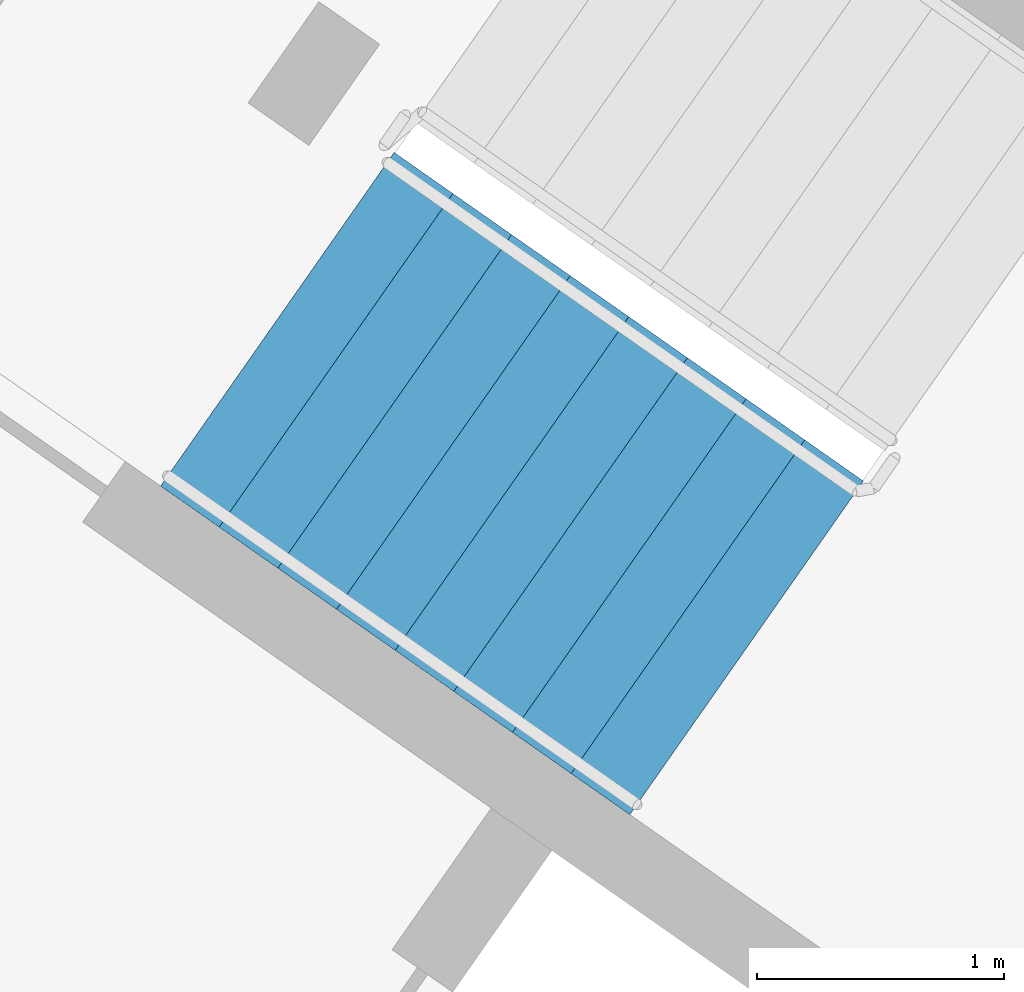
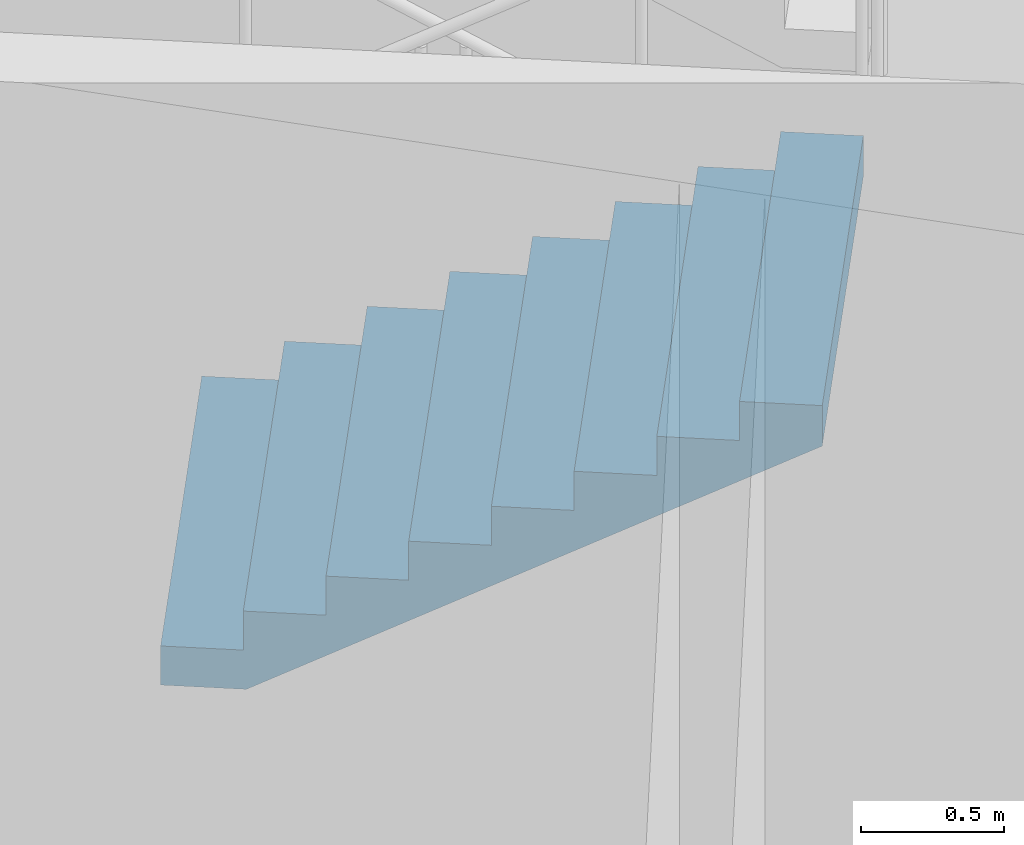
# One storey, part 11 of 41: 1 stair flight, 1 element without a shape of its own.
"""IFC4 building model written with IfcOpenShell, lengths in metres."""

from ifc_helpers import new_model, si_unit, direction, frame, origin, place, context, subcontext, project, spatial, faceted_brep, material, type_object, element, aggregate, save


model = new_model("IFC4")

# Units and contexts
model_context = context("Model", 3, precision=1e-05, world=origin(), true_north=direction((0.0, 1.0)))
body_context = subcontext(model_context, "Body", "Model", "MODEL_VIEW")
ifc_project = project(units=[si_unit("LENGTHUNIT", "METRE"), si_unit("AREAUNIT", "SQUARE_METRE"), si_unit("VOLUMEUNIT", "CUBIC_METRE"), si_unit("PLANEANGLEUNIT", "RADIAN"), si_unit("MASSUNIT", "GRAM", prefix="KILO")], contexts=[model_context])

# Site, building, storey
site_placement = place(None, origin())
site = spatial("IfcSite", under=ifc_project, at=site_placement, CompositionType="ELEMENT")
building_placement = place(site_placement, origin())
building = spatial("IfcBuilding", under=site, at=building_placement, Name="Qamariyya Broadcast Tower", CompositionType="ELEMENT")
storey_placement = place(building_placement, frame((0.0, 0.0, 284.699951171875)))
storey = spatial("IfcBuildingStorey", under=building, at=storey_placement, Name="L69", CompositionType="ELEMENT", Elevation=284.699951171875)

# Stair, stair flight
ifc_material = material(Name="Concrete C50/60", Category="concrete")
stair_type = type_object("IfcStairType", Name="Exit stair 36 risers of 167 mm", PredefinedType="HALF_TURN_STAIR", material=ifc_material)
stair_placement = place(storey_placement, origin())
stair = element("IfcStair", 1, at=stair_placement, inside=storey, type_object=stair_type, Name="L69 Stair W2", PredefinedType="HALF_TURN_STAIR")
stair_flight_type = type_object("IfcStairFlightType", Name="Exit stair flight 9 risers of 167 mm", PredefinedType="STRAIGHT", material=ifc_material)
stair_flight_placement = place(storey_placement, frame((-41.59130859375, -49.15966796875, 3.0), z_axis=(0.0, 0.0, 1.0), x_axis=(0.819152044289, -0.573576436351, 0.0)))
stair_flight = element("IfcStairFlight", 2, at=stair_flight_placement, type_object=stair_flight_type, Name="ST-W2 flight 3", NumberOfRisers=9, NumberOfTreads=8, PredefinedType="STRAIGHT", RiserHeight=0.166666667, TreadLength=0.29, context=body_context, shape_type="Brep", body=[
    faceted_brep([(0.0, 0.824951171875, 0.0), (0.0, 0.824951171875, 0.166748046875), (0.2900390625, 0.824951171875, 0.166748046875), (0.2900390625, 0.824951171875, 0.333251953125), (0.580078125, 0.824951171875, 0.333251953125), (0.580078125, 0.824951171875, 0.5), (0.8701171875, 0.824951171875, 0.5), (0.8701171875, 0.824951171875, 0.666748046875), (1.159912109375, 0.824951171875, 0.666748046875), (1.159912109375, 0.824951171875, 0.833251953125), (1.449951171875, 0.824951171875, 0.833251953125), (1.449951171875, 0.824951171875, 1.0), (1.739990234375, 0.824951171875, 1.0), (1.739990234375, 0.824951171875, 1.166748046875), (2.030029296875, 0.824951171875, 1.166748046875), (2.030029296875, 0.824951171875, 1.333251953125), (2.320068359375, 0.824951171875, 1.333251953125), (2.320068359375, 0.824951171875, 1.160400390625), (0.30078125, 0.824951171875, 0.0), (0.30078125, -0.824951171875, 0.0), (2.320068359375, -0.824951171875, 1.160400390625), (2.320068359375, -0.824951171875, 1.333251953125), (2.030029296875, -0.824951171875, 1.333251953125), (2.030029296875, -0.824951171875, 1.166748046875), (1.739990234375, -0.824951171875, 1.166748046875), (1.739990234375, -0.824951171875, 1.0), (1.449951171875, -0.824951171875, 1.0), (1.449951171875, -0.824951171875, 0.833251953125), (1.159912109375, -0.824951171875, 0.833251953125), (1.159912109375, -0.824951171875, 0.666748046875), (0.8701171875, -0.824951171875, 0.666748046875), (0.8701171875, -0.824951171875, 0.5), (0.580078125, -0.824951171875, 0.5), (0.580078125, -0.824951171875, 0.333251953125), (0.2900390625, -0.824951171875, 0.333251953125), (0.2900390625, -0.824951171875, 0.166748046875), (0.0, -0.824951171875, 0.166748046875), (0.0, -0.824951171875, 0.0), (0.0, 0.10009765625, 0.0), (0.0, 0.086669921875, 0.0), (0.0, 0.0732421875, 0.0), (0.0, 0.06005859375, 0.0), (0.0, 0.046630859375, 0.0), (0.0, 0.033447265625, 0.0), (0.0, 0.02001953125, 0.0), (0.0, 0.006591796875, 0.0), (0.0, -0.006591796875, 0.0), (0.0, -0.02001953125, 0.0), (0.0, -0.033447265625, 0.0), (0.0, -0.046630859375, 0.0), (0.0, -0.06005859375, 0.0), (0.0, -0.0732421875, 0.0), (0.0, -0.086669921875, 0.0), (0.0, -0.10009765625, 0.0), (0.0, -0.10009765625, 0.166748046875), (0.0, -0.086669921875, 0.166748046875), (0.0, -0.0732421875, 0.166748046875), (0.0, -0.06005859375, 0.166748046875), (0.0, -0.046630859375, 0.166748046875), (0.0, -0.033447265625, 0.166748046875), (0.0, -0.02001953125, 0.166748046875), (0.0, -0.006591796875, 0.166748046875), (0.0, 0.006591796875, 0.166748046875), (0.0, 0.02001953125, 0.166748046875), (0.0, 0.033447265625, 0.166748046875), (0.0, 0.046630859375, 0.166748046875), (0.0, 0.06005859375, 0.166748046875), (0.0, 0.0732421875, 0.166748046875), (0.0, 0.086669921875, 0.166748046875), (0.0, 0.10009765625, 0.166748046875), (0.2900390625, -0.10009765625, 0.166748046875), (0.2900390625, -0.086669921875, 0.166748046875), (0.2900390625, -0.0732421875, 0.166748046875), (0.2900390625, -0.06005859375, 0.166748046875), (0.2900390625, -0.046630859375, 0.166748046875), (0.2900390625, -0.033447265625, 0.166748046875), (0.2900390625, -0.02001953125, 0.166748046875), (0.2900390625, -0.006591796875, 0.166748046875), (0.2900390625, 0.006591796875, 0.166748046875), (0.2900390625, 0.02001953125, 0.166748046875), (0.2900390625, 0.033447265625, 0.166748046875), (0.2900390625, 0.046630859375, 0.166748046875), (0.2900390625, 0.06005859375, 0.166748046875), (0.2900390625, 0.0732421875, 0.166748046875), (0.2900390625, 0.086669921875, 0.166748046875), (0.2900390625, 0.10009765625, 0.166748046875), (0.2900390625, -0.10009765625, 0.333251953125), (0.2900390625, -0.086669921875, 0.333251953125), (0.2900390625, -0.0732421875, 0.333251953125), (0.2900390625, -0.06005859375, 0.333251953125), (0.2900390625, -0.046630859375, 0.333251953125), (0.2900390625, -0.033447265625, 0.333251953125), (0.2900390625, -0.02001953125, 0.333251953125), (0.2900390625, -0.006591796875, 0.333251953125), (0.2900390625, 0.006591796875, 0.333251953125), (0.2900390625, 0.02001953125, 0.333251953125), (0.2900390625, 0.033447265625, 0.333251953125), (0.2900390625, 0.046630859375, 0.333251953125), (0.2900390625, 0.06005859375, 0.333251953125), (0.2900390625, 0.0732421875, 0.333251953125), (0.2900390625, 0.086669921875, 0.333251953125), (0.2900390625, 0.10009765625, 0.333251953125), (0.580078125, -0.10009765625, 0.333251953125), (0.580078125, -0.086669921875, 0.333251953125), (0.580078125, -0.0732421875, 0.333251953125), (0.580078125, -0.06005859375, 0.333251953125), (0.580078125, -0.046630859375, 0.333251953125), (0.580078125, -0.033447265625, 0.333251953125), (0.580078125, -0.02001953125, 0.333251953125), (0.580078125, -0.006591796875, 0.333251953125), (0.580078125, 0.006591796875, 0.333251953125), (0.580078125, 0.02001953125, 0.333251953125), (0.580078125, 0.033447265625, 0.333251953125), (0.580078125, 0.046630859375, 0.333251953125), (0.580078125, 0.06005859375, 0.333251953125), (0.580078125, 0.0732421875, 0.333251953125), (0.580078125, 0.086669921875, 0.333251953125), (0.580078125, 0.10009765625, 0.333251953125), (0.580078125, -0.10009765625, 0.5), (0.580078125, -0.086669921875, 0.5), (0.580078125, -0.0732421875, 0.5), (0.580078125, -0.06005859375, 0.5), (0.580078125, -0.046630859375, 0.5), (0.580078125, -0.033447265625, 0.5), (0.580078125, -0.02001953125, 0.5), (0.580078125, -0.006591796875, 0.5), (0.580078125, 0.006591796875, 0.5), (0.580078125, 0.02001953125, 0.5), (0.580078125, 0.033447265625, 0.5), (0.580078125, 0.046630859375, 0.5), (0.580078125, 0.06005859375, 0.5), (0.580078125, 0.0732421875, 0.5), (0.580078125, 0.086669921875, 0.5), (0.580078125, 0.10009765625, 0.5), (0.8701171875, -0.10009765625, 0.5), (0.8701171875, -0.086669921875, 0.5), (0.8701171875, -0.0732421875, 0.5), (0.8701171875, -0.06005859375, 0.5), (0.8701171875, -0.046630859375, 0.5), (0.8701171875, -0.033447265625, 0.5), (0.8701171875, -0.02001953125, 0.5), (0.8701171875, -0.006591796875, 0.5), (0.8701171875, 0.006591796875, 0.5), (0.8701171875, 0.02001953125, 0.5), (0.8701171875, 0.033447265625, 0.5), (0.8701171875, 0.046630859375, 0.5), (0.8701171875, 0.06005859375, 0.5), (0.8701171875, 0.0732421875, 0.5), (0.8701171875, 0.086669921875, 0.5), (0.8701171875, 0.10009765625, 0.5), (0.8701171875, -0.10009765625, 0.666748046875), (0.8701171875, -0.086669921875, 0.666748046875), (0.8701171875, -0.0732421875, 0.666748046875), (0.8701171875, -0.06005859375, 0.666748046875), (0.8701171875, -0.046630859375, 0.666748046875), (0.8701171875, -0.033447265625, 0.666748046875), (0.8701171875, -0.02001953125, 0.666748046875), (0.8701171875, -0.006591796875, 0.666748046875), (0.8701171875, 0.006591796875, 0.666748046875), (0.8701171875, 0.02001953125, 0.666748046875), (0.8701171875, 0.033447265625, 0.666748046875), (0.8701171875, 0.046630859375, 0.666748046875), (0.8701171875, 0.06005859375, 0.666748046875), (0.8701171875, 0.0732421875, 0.666748046875), (0.8701171875, 0.086669921875, 0.666748046875), (0.8701171875, 0.10009765625, 0.666748046875), (1.159912109375, -0.10009765625, 0.666748046875), (1.159912109375, -0.086669921875, 0.666748046875), (1.159912109375, -0.0732421875, 0.666748046875), (1.159912109375, -0.06005859375, 0.666748046875), (1.159912109375, -0.046630859375, 0.666748046875), (1.159912109375, -0.033447265625, 0.666748046875), (1.159912109375, -0.02001953125, 0.666748046875), (1.159912109375, -0.006591796875, 0.666748046875), (1.159912109375, 0.006591796875, 0.666748046875), (1.159912109375, 0.02001953125, 0.666748046875), (1.159912109375, 0.033447265625, 0.666748046875), (1.159912109375, 0.046630859375, 0.666748046875), (1.159912109375, 0.06005859375, 0.666748046875), (1.159912109375, 0.0732421875, 0.666748046875), (1.159912109375, 0.086669921875, 0.666748046875), (1.159912109375, 0.10009765625, 0.666748046875), (1.159912109375, -0.10009765625, 0.833251953125), (1.159912109375, -0.086669921875, 0.833251953125), (1.159912109375, -0.0732421875, 0.833251953125), (1.159912109375, -0.06005859375, 0.833251953125), (1.159912109375, -0.046630859375, 0.833251953125), (1.159912109375, -0.033447265625, 0.833251953125), (1.159912109375, -0.02001953125, 0.833251953125), (1.159912109375, -0.006591796875, 0.833251953125), (1.159912109375, 0.006591796875, 0.833251953125), (1.159912109375, 0.02001953125, 0.833251953125), (1.159912109375, 0.033447265625, 0.833251953125), (1.159912109375, 0.046630859375, 0.833251953125), (1.159912109375, 0.06005859375, 0.833251953125), (1.159912109375, 0.0732421875, 0.833251953125), (1.159912109375, 0.086669921875, 0.833251953125), (1.159912109375, 0.10009765625, 0.833251953125), (1.449951171875, -0.10009765625, 0.833251953125), (1.449951171875, -0.086669921875, 0.833251953125), (1.449951171875, -0.0732421875, 0.833251953125), (1.449951171875, -0.06005859375, 0.833251953125), (1.449951171875, -0.046630859375, 0.833251953125), (1.449951171875, -0.033447265625, 0.833251953125), (1.449951171875, -0.02001953125, 0.833251953125), (1.449951171875, -0.006591796875, 0.833251953125), (1.449951171875, 0.006591796875, 0.833251953125), (1.449951171875, 0.02001953125, 0.833251953125), (1.449951171875, 0.033447265625, 0.833251953125), (1.449951171875, 0.046630859375, 0.833251953125), (1.449951171875, 0.06005859375, 0.833251953125), (1.449951171875, 0.0732421875, 0.833251953125), (1.449951171875, 0.086669921875, 0.833251953125), (1.449951171875, 0.10009765625, 0.833251953125), (1.449951171875, -0.10009765625, 1.0), (1.449951171875, -0.086669921875, 1.0), (1.449951171875, -0.0732421875, 1.0), (1.449951171875, -0.06005859375, 1.0), (1.449951171875, -0.046630859375, 1.0), (1.449951171875, -0.033447265625, 1.0), (1.449951171875, -0.02001953125, 1.0), (1.449951171875, -0.006591796875, 1.0), (1.449951171875, 0.006591796875, 1.0), (1.449951171875, 0.02001953125, 1.0), (1.449951171875, 0.033447265625, 1.0), (1.449951171875, 0.046630859375, 1.0), (1.449951171875, 0.06005859375, 1.0), (1.449951171875, 0.0732421875, 1.0), (1.449951171875, 0.086669921875, 1.0), (1.449951171875, 0.10009765625, 1.0), (1.739990234375, -0.10009765625, 1.0), (1.739990234375, -0.086669921875, 1.0), (1.739990234375, -0.0732421875, 1.0), (1.739990234375, -0.06005859375, 1.0), (1.739990234375, -0.046630859375, 1.0), (1.739990234375, -0.033447265625, 1.0), (1.739990234375, -0.02001953125, 1.0), (1.739990234375, -0.006591796875, 1.0), (1.739990234375, 0.006591796875, 1.0), (1.739990234375, 0.02001953125, 1.0), (1.739990234375, 0.033447265625, 1.0), (1.739990234375, 0.046630859375, 1.0), (1.739990234375, 0.06005859375, 1.0), (1.739990234375, 0.0732421875, 1.0), (1.739990234375, 0.086669921875, 1.0), (1.739990234375, 0.10009765625, 1.0), (1.739990234375, -0.10009765625, 1.166748046875), (1.739990234375, -0.086669921875, 1.166748046875), (1.739990234375, -0.0732421875, 1.166748046875), (1.739990234375, -0.06005859375, 1.166748046875), (1.739990234375, -0.046630859375, 1.166748046875), (1.739990234375, -0.033447265625, 1.166748046875), (1.739990234375, -0.02001953125, 1.166748046875), (1.739990234375, -0.006591796875, 1.166748046875), (1.739990234375, 0.006591796875, 1.166748046875), (1.739990234375, 0.02001953125, 1.166748046875), (1.739990234375, 0.033447265625, 1.166748046875), (1.739990234375, 0.046630859375, 1.166748046875), (1.739990234375, 0.06005859375, 1.166748046875), (1.739990234375, 0.0732421875, 1.166748046875), (1.739990234375, 0.086669921875, 1.166748046875), (1.739990234375, 0.10009765625, 1.166748046875), (2.030029296875, -0.10009765625, 1.166748046875), (2.030029296875, -0.086669921875, 1.166748046875), (2.030029296875, -0.0732421875, 1.166748046875), (2.030029296875, -0.06005859375, 1.166748046875), (2.030029296875, -0.046630859375, 1.166748046875), (2.030029296875, -0.033447265625, 1.166748046875), (2.030029296875, -0.02001953125, 1.166748046875), (2.030029296875, -0.006591796875, 1.166748046875), (2.030029296875, 0.006591796875, 1.166748046875), (2.030029296875, 0.02001953125, 1.166748046875), (2.030029296875, 0.033447265625, 1.166748046875), (2.030029296875, 0.046630859375, 1.166748046875), (2.030029296875, 0.06005859375, 1.166748046875), (2.030029296875, 0.0732421875, 1.166748046875), (2.030029296875, 0.086669921875, 1.166748046875), (2.030029296875, 0.10009765625, 1.166748046875), (2.030029296875, -0.10009765625, 1.333251953125), (2.030029296875, -0.086669921875, 1.333251953125), (2.030029296875, -0.0732421875, 1.333251953125), (2.030029296875, -0.06005859375, 1.333251953125), (2.030029296875, -0.046630859375, 1.333251953125), (2.030029296875, -0.033447265625, 1.333251953125), (2.030029296875, -0.02001953125, 1.333251953125), (2.030029296875, -0.006591796875, 1.333251953125), (2.030029296875, 0.006591796875, 1.333251953125), (2.030029296875, 0.02001953125, 1.333251953125), (2.030029296875, 0.033447265625, 1.333251953125), (2.030029296875, 0.046630859375, 1.333251953125), (2.030029296875, 0.06005859375, 1.333251953125), (2.030029296875, 0.0732421875, 1.333251953125), (2.030029296875, 0.086669921875, 1.333251953125), (2.030029296875, 0.10009765625, 1.333251953125), (2.320068359375, -0.10009765625, 1.333251953125), (2.320068359375, -0.086669921875, 1.333251953125), (2.320068359375, -0.0732421875, 1.333251953125), (2.320068359375, -0.06005859375, 1.333251953125), (2.320068359375, -0.046630859375, 1.333251953125), (2.320068359375, -0.033447265625, 1.333251953125), (2.320068359375, -0.02001953125, 1.333251953125), (2.320068359375, -0.006591796875, 1.333251953125), (2.320068359375, 0.006591796875, 1.333251953125), (2.320068359375, 0.02001953125, 1.333251953125), (2.320068359375, 0.033447265625, 1.333251953125), (2.320068359375, 0.046630859375, 1.333251953125), (2.320068359375, 0.06005859375, 1.333251953125), (2.320068359375, 0.0732421875, 1.333251953125), (2.320068359375, 0.086669921875, 1.333251953125), (2.320068359375, 0.10009765625, 1.333251953125), (2.320068359375, -0.10009765625, 1.160400390625), (2.320068359375, -0.086669921875, 1.160400390625), (2.320068359375, -0.0732421875, 1.160400390625), (2.320068359375, -0.06005859375, 1.160400390625), (2.320068359375, -0.046630859375, 1.160400390625), (2.320068359375, -0.033447265625, 1.160400390625), (2.320068359375, -0.02001953125, 1.160400390625), (2.320068359375, -0.006591796875, 1.160400390625), (2.320068359375, 0.006591796875, 1.160400390625), (2.320068359375, 0.02001953125, 1.160400390625), (2.320068359375, 0.033447265625, 1.160400390625), (2.320068359375, 0.046630859375, 1.160400390625), (2.320068359375, 0.06005859375, 1.160400390625), (2.320068359375, 0.0732421875, 1.160400390625), (2.320068359375, 0.086669921875, 1.160400390625), (2.320068359375, 0.10009765625, 1.160400390625), (0.30078125, -0.10009765625, 0.0), (0.30078125, -0.086669921875, 0.0), (0.30078125, -0.0732421875, 0.0), (0.30078125, -0.06005859375, 0.0), (0.30078125, -0.046630859375, 0.0), (0.30078125, -0.033447265625, 0.0), (0.30078125, -0.02001953125, 0.0), (0.30078125, -0.006591796875, 0.0), (0.30078125, 0.006591796875, 0.0), (0.30078125, 0.02001953125, 0.0), (0.30078125, 0.033447265625, 0.0), (0.30078125, 0.046630859375, 0.0), (0.30078125, 0.06005859375, 0.0), (0.30078125, 0.0732421875, 0.0), (0.30078125, 0.086669921875, 0.0), (0.30078125, 0.10009765625, 0.0)], [[[0, 1, 2, 3, 4, 5, 6, 7, 8, 9, 10, 11, 12, 13, 14, 15, 16, 17, 18]], [[19, 20, 21, 22, 23, 24, 25, 26, 27, 28, 29, 30, 31, 32, 33, 34, 35, 36, 37]], [[0, 38, 39, 40, 41, 42, 43, 44, 45, 46, 47, 48, 49, 50, 51, 52, 53, 37, 36, 54, 55, 56, 57, 58, 59, 60, 61, 62, 63, 64, 65, 66, 67, 68, 69, 1]], [[1, 69, 68, 67, 66, 65, 64, 63, 62, 61, 60, 59, 58, 57, 56, 55, 54, 36, 35, 70, 71, 72, 73, 74, 75, 76, 77, 78, 79, 80, 81, 82, 83, 84, 85, 2]], [[2, 85, 84, 83, 82, 81, 80, 79, 78, 77, 76, 75, 74, 73, 72, 71, 70, 35, 34, 86, 87, 88, 89, 90, 91, 92, 93, 94, 95, 96, 97, 98, 99, 100, 101, 3]], [[3, 101, 100, 99, 98, 97, 96, 95, 94, 93, 92, 91, 90, 89, 88, 87, 86, 34, 33, 102, 103, 104, 105, 106, 107, 108, 109, 110, 111, 112, 113, 114, 115, 116, 117, 4]], [[4, 117, 116, 115, 114, 113, 112, 111, 110, 109, 108, 107, 106, 105, 104, 103, 102, 33, 32, 118, 119, 120, 121, 122, 123, 124, 125, 126, 127, 128, 129, 130, 131, 132, 133, 5]], [[5, 133, 132, 131, 130, 129, 128, 127, 126, 125, 124, 123, 122, 121, 120, 119, 118, 32, 31, 134, 135, 136, 137, 138, 139, 140, 141, 142, 143, 144, 145, 146, 147, 148, 149, 6]], [[6, 149, 148, 147, 146, 145, 144, 143, 142, 141, 140, 139, 138, 137, 136, 135, 134, 31, 30, 150, 151, 152, 153, 154, 155, 156, 157, 158, 159, 160, 161, 162, 163, 164, 165, 7]], [[7, 165, 164, 163, 162, 161, 160, 159, 158, 157, 156, 155, 154, 153, 152, 151, 150, 30, 29, 166, 167, 168, 169, 170, 171, 172, 173, 174, 175, 176, 177, 178, 179, 180, 181, 8]], [[8, 181, 180, 179, 178, 177, 176, 175, 174, 173, 172, 171, 170, 169, 168, 167, 166, 29, 28, 182, 183, 184, 185, 186, 187, 188, 189, 190, 191, 192, 193, 194, 195, 196, 197, 9]], [[9, 197, 196, 195, 194, 193, 192, 191, 190, 189, 188, 187, 186, 185, 184, 183, 182, 28, 27, 198, 199, 200, 201, 202, 203, 204, 205, 206, 207, 208, 209, 210, 211, 212, 213, 10]], [[10, 213, 212, 211, 210, 209, 208, 207, 206, 205, 204, 203, 202, 201, 200, 199, 198, 27, 26, 214, 215, 216, 217, 218, 219, 220, 221, 222, 223, 224, 225, 226, 227, 228, 229, 11]], [[11, 229, 228, 227, 226, 225, 224, 223, 222, 221, 220, 219, 218, 217, 216, 215, 214, 26, 25, 230, 231, 232, 233, 234, 235, 236, 237, 238, 239, 240, 241, 242, 243, 244, 245, 12]], [[12, 245, 244, 243, 242, 241, 240, 239, 238, 237, 236, 235, 234, 233, 232, 231, 230, 25, 24, 246, 247, 248, 249, 250, 251, 252, 253, 254, 255, 256, 257, 258, 259, 260, 261, 13]], [[13, 261, 260, 259, 258, 257, 256, 255, 254, 253, 252, 251, 250, 249, 248, 247, 246, 24, 23, 262, 263, 264, 265, 266, 267, 268, 269, 270, 271, 272, 273, 274, 275, 276, 277, 14]], [[14, 277, 276, 275, 274, 273, 272, 271, 270, 269, 268, 267, 266, 265, 264, 263, 262, 23, 22, 278, 279, 280, 281, 282, 283, 284, 285, 286, 287, 288, 289, 290, 291, 292, 293, 15]], [[15, 293, 292, 291, 290, 289, 288, 287, 286, 285, 284, 283, 282, 281, 280, 279, 278, 22, 21, 294, 295, 296, 297, 298, 299, 300, 301, 302, 303, 304, 305, 306, 307, 308, 309, 16]], [[16, 309, 308, 307, 306, 305, 304, 303, 302, 301, 300, 299, 298, 297, 296, 295, 294, 21, 20, 310, 311, 312, 313, 314, 315, 316, 317, 318, 319, 320, 321, 322, 323, 324, 325, 17]], [[17, 325, 324, 323, 322, 321, 320, 319, 318, 317, 316, 315, 314, 313, 312, 311, 310, 20, 19, 326, 327, 328, 329, 330, 331, 332, 333, 334, 335, 336, 337, 338, 339, 340, 341, 18]], [[18, 341, 340, 339, 338, 337, 336, 335, 334, 333, 332, 331, 330, 329, 328, 327, 326, 19, 37, 53, 52, 51, 50, 49, 48, 47, 46, 45, 44, 43, 42, 41, 40, 39, 38, 0]]]),
])
aggregate(stair, [stair_flight])

save(model, "model.ifc")
